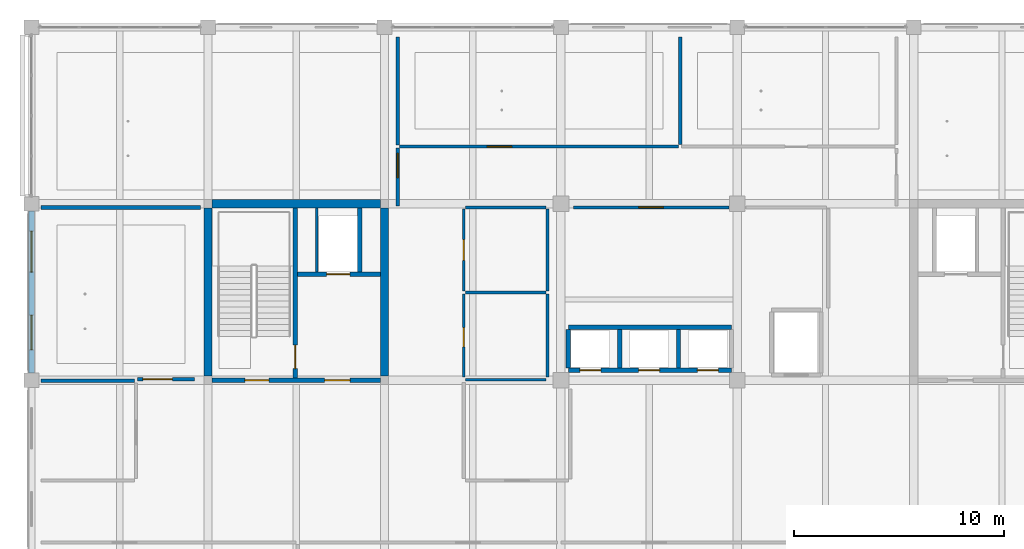
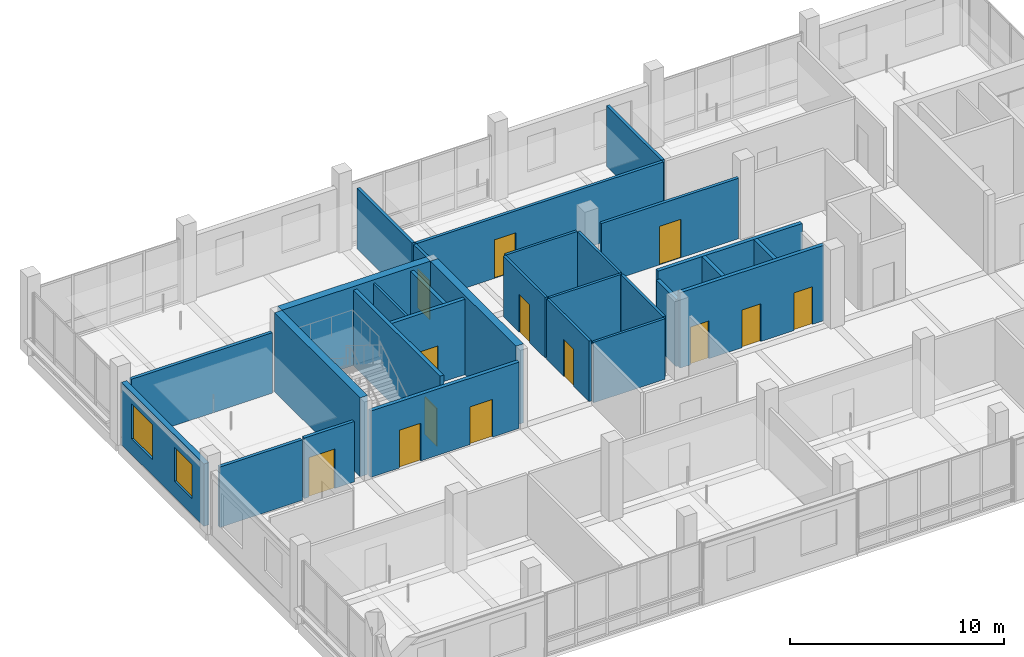
# One storey, part 12 of 32: 29 walls, 13 doors, 2 windows, 15 openings.
"""IFC4 building model written with IfcOpenShell, lengths in metres."""

from ifc_helpers import new_model, si_unit, direction, frame, frame_2d, origin, place, context, subcontext, project, spatial, rectangle, extrude, material, layer, layer_set, type_object, element, fill, save


model = new_model("IFC4")

# Units and contexts
model_context = context("Model", 3, precision=1e-05, world=origin(), true_north=direction((0.0, 1.0)))
body_context = subcontext(model_context, "Body", "Model", "MODEL_VIEW")
ifc_project = project(units=[si_unit("LENGTHUNIT", "METRE"), si_unit("AREAUNIT", "SQUARE_METRE"), si_unit("VOLUMEUNIT", "CUBIC_METRE"), si_unit("PLANEANGLEUNIT", "RADIAN"), si_unit("MASSUNIT", "GRAM", prefix="KILO")], contexts=[model_context])

# Site, building, storey
site_placement = place(None, origin())
site = spatial("IfcSite", under=ifc_project, at=site_placement, CompositionType="ELEMENT")
building_placement = place(site_placement, origin())
building = spatial("IfcBuilding", under=site, at=building_placement, Name="Telukmera Botanical Conservatory", CompositionType="ELEMENT")
storey_placement = place(building_placement, frame((0.0, 0.0, 42.0)))
storey = spatial("IfcBuildingStorey", under=building, at=storey_placement, Name="L09", CompositionType="ELEMENT", Elevation=42.0)

# Wall, openings, windows
ifc_material_1 = material(Name="Precast concrete C40/50", Category="concrete")
ifc_layer_1 = layer(ifc_material_1, 0.280029296875)
ifc_layer_set_1 = layer_set([ifc_layer_1], Name="Precast concrete C40/50")
wall_type_1 = type_object("IfcWallType", Name="Exterior Laboratory Modular Precast Wall 280", PredefinedType="ELEMENTEDWALL", material=ifc_layer_set_1)
wall_1_placement = place(storey_placement, frame((50.39990234375, 26.35205078125, 0.0), z_axis=(0.0, 0.0, 1.0), x_axis=(0.0, 1.0, 0.0)))
wall_1 = element("IfcWall", 1, at=wall_1_placement, inside=storey, type_object=wall_type_1, Name="Exterior Precast Wall EW06 V4:L09:W3", PredefinedType="ELEMENTEDWALL", context=body_context, shape_type="SweptSolid", body=[
    extrude(rectangle(XDim=7.696044921875, YDim=0.280029296875, at=frame_2d((3.84814453125, 0.0))), origin(), (0.0, 0.0, 1.0), 3.550048828125),
])
opening_1_placement = place(wall_1_placement, frame((1.09912109375, 0.0, 0.89990234375)))
opening_1 = element("IfcOpeningElement", 2, at=opening_1_placement, cuts=wall_1, Name="Opening W10", PredefinedType="OPENING", context=body_context, shape_type="SweptSolid", body=[
    extrude(rectangle(XDim=1.64990234375, YDim=1.949951171875, at=frame_2d((0.824951171875, 0.97509765625))), frame((0.0, 0.14990234375, 0.0), z_axis=(0.0, -1.0, 0.0), x_axis=(1.0, 0.0, 0.0)), (0.0, 0.0, 1.0), 0.300048828125),
])
opening_2_placement = place(wall_1_placement, frame((4.797119140625, 0.0, 0.89990234375)))
opening_2 = element("IfcOpeningElement", 3, at=opening_2_placement, cuts=wall_1, Name="Opening W13", PredefinedType="OPENING", context=body_context, shape_type="SweptSolid", body=[
    extrude(rectangle(XDim=1.949951171875, YDim=2.0, at=frame_2d((0.97509765625, 1.0))), frame((0.0, 0.14990234375, 0.0), z_axis=(0.0, -1.0, 0.0), x_axis=(1.0, 0.0, 0.0)), (0.0, 0.0, 1.0), 0.300048828125),
])
ifc_material_2 = material(Name="Thermally broken anodised aluminium frame with low-E double glazing", Category="aluminium")
window_type_1 = type_object("IfcWindowType", Name="Double Horizontal Phytochemistry Lab Window 1650x1950", PartitioningType="DOUBLE_PANEL_HORIZONTAL", PredefinedType="WINDOW", material=ifc_material_2)
window_1_placement = place(opening_1_placement, origin())
window_1 = element("IfcWindow", 4, at=window_1_placement, inside=storey, type_object=window_type_1, Name="Facade Window W10 V4:L09:W3 1", OverallHeight=1.949951171875, OverallWidth=1.64990234375, PartitioningType="DOUBLE_PANEL_HORIZONTAL", PredefinedType="WINDOW", context=body_context, shape_type="SweptSolid", body=[
    extrude(rectangle(XDim=1.64990234375, YDim=1.949951171875, at=frame_2d((0.824951171875, 0.97509765625))), frame((0.0, 0.030029296875, 0.0), z_axis=(0.0, -1.0, 0.0), x_axis=(1.0, 0.0, 0.0)), (0.0, 0.0, 1.0), 0.06005859375),
])
fill(opening_1, window_1)
window_type_2 = type_object("IfcWindowType", Name="Triple Vertical Tissue Culture Lab Window 1950x2000", PartitioningType="TRIPLE_PANEL_VERTICAL", PredefinedType="WINDOW", material=ifc_material_2)
window_2_placement = place(opening_2_placement, origin())
window_2 = element("IfcWindow", 5, at=window_2_placement, inside=storey, type_object=window_type_2, Name="Facade Window W13 V4:L09:W3 2", OverallHeight=2.0, OverallWidth=1.949951171875, PartitioningType="TRIPLE_PANEL_VERTICAL", PredefinedType="WINDOW", context=body_context, shape_type="SweptSolid", body=[
    extrude(rectangle(XDim=1.949951171875, YDim=2.0, at=frame_2d((0.97509765625, 1.0))), frame((0.0, 0.030029296875, 0.0), z_axis=(0.0, -1.0, 0.0), x_axis=(1.0, 0.0, 0.0)), (0.0, 0.0, 1.0), 0.06005859375),
])
fill(opening_2, window_2)

# Wall, openings, doors
ifc_material_3 = material(Name="Concrete C40/50", Category="concrete")
ifc_layer_2 = layer(ifc_material_3, 0.199951171875)
ifc_layer_set_2 = layer_set([ifc_layer_2], Name="Concrete C40/50")
wall_type_2 = type_object("IfcWallType", Name="WT-CORE-200", PredefinedType="SOLIDWALL", material=ifc_layer_set_2)
wall_2_placement = place(storey_placement, frame((59.0, 26.0, 0.0), z_axis=(0.0, 0.0, 1.0), x_axis=(1.0, 0.0, 0.0)))
wall_2 = element("IfcWall", 6, at=wall_2_placement, inside=storey, type_object=wall_type_2, Name="L09 Core C1 South Fire Wall", PredefinedType="SOLIDWALL", context=body_context, shape_type="SweptSolid", body=[
    extrude(rectangle(XDim=8.0, YDim=0.199951171875, at=frame_2d((4.0, 0.0))), origin(), (0.0, 0.0, 1.0), 3.780029296875),
])
opening_3_placement = place(wall_2_placement, frame((1.550048828125, 0.0, 0.0)))
opening_3 = element("IfcOpeningElement", 7, at=opening_3_placement, cuts=wall_2, Name="Opening FD60A", PredefinedType="OPENING", context=body_context, shape_type="SweptSolid", body=[
    extrude(rectangle(XDim=1.14990234375, YDim=2.14990234375, at=frame_2d((0.574951171875, 1.074951171875))), frame((0.0, 0.10986328125, 0.0), z_axis=(0.0, -1.0, 0.0), x_axis=(1.0, 0.0, 0.0)), (0.0, 0.0, 1.0), 0.219970703125),
])
opening_4_placement = place(wall_2_placement, frame((5.35009765625, 0.0, 0.0)))
opening_4 = element("IfcOpeningElement", 8, at=opening_4_placement, cuts=wall_2, Name="Opening FD60C", PredefinedType="OPENING", context=body_context, shape_type="SweptSolid", body=[
    extrude(rectangle(XDim=1.219970703125, YDim=2.14990234375, at=frame_2d((0.60986328125, 1.074951171875))), frame((0.0, 0.10986328125, 0.0), z_axis=(0.0, -1.0, 0.0), x_axis=(1.0, 0.0, 0.0)), (0.0, 0.0, 1.0), 0.219970703125),
])
ifc_material_4 = material(Name="Hardwood fire door", Category="wood")
door_type_1 = type_object("IfcDoorType", Name="DT-FD60-01", OperationType="NOTDEFINED", PredefinedType="DOOR", material=ifc_material_4)
door_1_placement = place(opening_3_placement, origin())
door_1 = element("IfcDoor", 9, at=door_1_placement, inside=storey, type_object=door_type_1, Name="L09 Stair ST1 Escape Door", OperationType="SINGLE_SWING_RIGHT", OverallHeight=2.14990234375, OverallWidth=1.14990234375, PredefinedType="DOOR", context=body_context, shape_type="SweptSolid", body=[
    extrude(rectangle(XDim=1.14990234375, YDim=2.14990234375, at=frame_2d((0.574951171875, 1.074951171875))), frame((0.0, 0.02490234375, 0.0), z_axis=(0.0, -1.0, 0.0), x_axis=(1.0, 0.0, 0.0)), (0.0, 0.0, 1.0), 0.050048828125),
])
fill(opening_3, door_1)
door_type_2 = type_object("IfcDoorType", Name="DT-FD60-03", OperationType="NOTDEFINED", PredefinedType="DOOR", material=ifc_material_4)
door_2_placement = place(opening_4_placement, origin())
door_2 = element("IfcDoor", 10, at=door_2_placement, inside=storey, type_object=door_type_2, Name="L09 Firefighting Lobby C1 Door", OperationType="SINGLE_SWING_LEFT", OverallHeight=2.14990234375, OverallWidth=1.219970703125, PredefinedType="DOOR", context=body_context, shape_type="SweptSolid", body=[
    extrude(rectangle(XDim=1.219970703125, YDim=2.14990234375, at=frame_2d((0.60986328125, 1.074951171875))), frame((0.0, 0.02490234375, 0.0), z_axis=(0.0, -1.0, 0.0), x_axis=(1.0, 0.0, 0.0)), (0.0, 0.0, 1.0), 0.050048828125),
])
fill(opening_4, door_2)

# Wall, opening, door
wall_3_placement = place(storey_placement, frame((62.949951171875, 26.10009765625, 0.0), z_axis=(0.0, 0.0, 1.0), x_axis=(0.0, 1.0, 0.0)))
wall_3 = element("IfcWall", 11, at=wall_3_placement, inside=storey, type_object=wall_type_2, Name="L09 Core C1 Stair-Lobby Wall", PredefinedType="SOLIDWALL", context=body_context, shape_type="SweptSolid", body=[
    extrude(rectangle(XDim=8.099853515625, YDim=0.199951171875, at=frame_2d((4.0498046875, 0.0))), origin(), (0.0, 0.0, 1.0), 4.300048828125),
])
opening_5_placement = place(wall_3_placement, frame((0.449951171875, 0.0, 0.0)))
opening_5 = element("IfcOpeningElement", 12, at=opening_5_placement, cuts=wall_3, Name="Opening FD60B", PredefinedType="OPENING", context=body_context, shape_type="SweptSolid", body=[
    extrude(rectangle(XDim=1.1201171875, YDim=2.14990234375, at=frame_2d((0.56005859375, 1.074951171875))), frame((0.0, 0.10986328125, 0.0), z_axis=(0.0, -1.0, 0.0), x_axis=(1.0, 0.0, 0.0)), (0.0, 0.0, 1.0), 0.219970703125),
])
door_type_3 = type_object("IfcDoorType", Name="DT-FD60-02", OperationType="NOTDEFINED", PredefinedType="DOOR", material=ifc_material_4)
door_3_placement = place(opening_5_placement, origin())
door_3 = element("IfcDoor", 13, at=door_3_placement, inside=storey, type_object=door_type_3, Name="L09 Firefighting Lobby C1 to ST1 Door", OperationType="SINGLE_SWING_RIGHT", OverallHeight=2.14990234375, OverallWidth=1.1201171875, PredefinedType="DOOR", context=body_context, shape_type="SweptSolid", body=[
    extrude(rectangle(XDim=1.1201171875, YDim=2.14990234375, at=frame_2d((0.56005859375, 1.074951171875))), frame((0.0, 0.02490234375, 0.0), z_axis=(0.0, -1.0, 0.0), x_axis=(1.0, 0.0, 0.0)), (0.0, 0.0, 1.0), 0.050048828125),
])
fill(opening_5, door_3)

wall_4_placement = place(storey_placement, frame((63.050048828125, 31.050048828125, 0.0), z_axis=(0.0, 0.0, 1.0), x_axis=(1.0, 0.0, 0.0)))
wall_4 = element("IfcWall", 14, at=wall_4_placement, inside=storey, type_object=wall_type_2, Name="L09 Fire Lift FL1 Shaft Front Wall", PredefinedType="SOLIDWALL", context=body_context, shape_type="SweptSolid", body=[
    extrude(rectangle(XDim=3.949951171875, YDim=0.199951171875, at=frame_2d((1.97509765625, 0.0))), origin(), (0.0, 0.0, 1.0), 4.300048828125),
])
opening_6_placement = place(wall_4_placement, frame((1.39990234375, 0.0, 0.0)))
opening_6 = element("IfcOpeningElement", 15, at=opening_6_placement, cuts=wall_4, Name="Opening LD01", PredefinedType="OPENING", context=body_context, shape_type="SweptSolid", body=[
    extrude(rectangle(XDim=1.10009765625, YDim=2.14990234375, at=frame_2d((0.550048828125, 1.074951171875))), frame((0.0, 0.10986328125, 0.0), z_axis=(0.0, -1.0, 0.0), x_axis=(1.0, 0.0, 0.0)), (0.0, 0.0, 1.0), 0.219970703125),
])
ifc_material_5 = material(Name="Stainless steel 316", Category="steel")
door_type_4 = type_object("IfcDoorType", Name="DT-LD01", OperationType="SLIDING_TO_LEFT", PredefinedType="DOOR", material=ifc_material_5)
door_4_placement = place(opening_6_placement, frame((1.10009765625, 0.0, 0.0), z_axis=(0.0, 0.0, 1.0), x_axis=(-1.0, 0.0, 0.0)))
door_4 = element("IfcDoor", 16, at=door_4_placement, inside=storey, type_object=door_type_4, Name="L09 Lift Landing Door FL1", OperationType="SLIDING_TO_LEFT", OverallHeight=2.14990234375, OverallWidth=1.10009765625, PredefinedType="DOOR", context=body_context, shape_type="SweptSolid", body=[
    extrude(rectangle(XDim=1.10009765625, YDim=2.14990234375, at=frame_2d((0.550048828125, 1.074951171875))), frame((0.0, 0.02490234375, 0.0), z_axis=(0.0, -1.0, 0.0), x_axis=(1.0, 0.0, 0.0)), (0.0, 0.0, 1.0), 0.050048828125),
])
fill(opening_6, door_4)

# Wall
wall_5_placement = place(storey_placement, frame((66.02001953125, 31.14990234375, 0.0), z_axis=(0.0, 0.0, 1.0), x_axis=(0.0, 1.0, 0.0)))
element("IfcWall", 17, at=wall_5_placement, inside=storey, type_object=wall_type_2, Name="L09 Fire Lift FL1 Shaft East Wall", PredefinedType="SOLIDWALL", context=body_context, shape_type="SweptSolid", body=[
    extrude(rectangle(XDim=3.050048828125, YDim=0.199951171875, at=frame_2d((1.52490234375, 0.0))), origin(), (0.0, 0.0, 1.0), 4.300048828125),
])

# Wall, openings, doors
wall_6_placement = place(storey_placement, frame((75.949951171875, 26.47998046875, 0.0), z_axis=(0.0, 0.0, 1.0), x_axis=(1.0, 0.0, 0.0)))
wall_6 = element("IfcWall", 18, at=wall_6_placement, inside=storey, type_object=wall_type_2, Name="L09 Passenger Lift Bank Front Wall", PredefinedType="SOLIDWALL", context=body_context, shape_type="SweptSolid", body=[
    extrude(rectangle(XDim=7.77001953125, YDim=0.199951171875, at=frame_2d((3.885009765625, 0.0))), origin(), (0.0, 0.0, 1.0), 4.300048828125),
])
opening_7_placement = place(wall_6_placement, frame((0.550048828125, 0.0, 0.0)))
opening_7 = element("IfcOpeningElement", 19, at=opening_7_placement, cuts=wall_6, Name="Opening LD03", PredefinedType="OPENING", context=body_context, shape_type="SweptSolid", body=[
    extrude(rectangle(XDim=1.0, YDim=2.14990234375, at=frame_2d((0.5, 1.074951171875))), frame((0.0, 0.10986328125, 0.0), z_axis=(0.0, -1.0, 0.0), x_axis=(1.0, 0.0, 0.0)), (0.0, 0.0, 1.0), 0.219970703125),
])
opening_8_placement = place(wall_6_placement, frame((3.35009765625, 0.0, 0.0)))
opening_8 = element("IfcOpeningElement", 20, at=opening_8_placement, cuts=wall_6, Name="Opening LD03", PredefinedType="OPENING", context=body_context, shape_type="SweptSolid", body=[
    extrude(rectangle(XDim=1.0, YDim=2.14990234375, at=frame_2d((0.5, 1.074951171875))), frame((0.0, 0.10986328125, 0.0), z_axis=(0.0, -1.0, 0.0), x_axis=(1.0, 0.0, 0.0)), (0.0, 0.0, 1.0), 0.219970703125),
])
opening_9_placement = place(wall_6_placement, frame((6.14990234375, 0.0, 0.0)))
opening_9 = element("IfcOpeningElement", 21, at=opening_9_placement, cuts=wall_6, Name="Opening LD03", PredefinedType="OPENING", context=body_context, shape_type="SweptSolid", body=[
    extrude(rectangle(XDim=1.0, YDim=2.14990234375, at=frame_2d((0.5, 1.074951171875))), frame((0.0, 0.10986328125, 0.0), z_axis=(0.0, -1.0, 0.0), x_axis=(1.0, 0.0, 0.0)), (0.0, 0.0, 1.0), 0.219970703125),
])
door_type_5 = type_object("IfcDoorType", Name="DT-LD03", OperationType="SLIDING_TO_LEFT", PredefinedType="DOOR", material=ifc_material_5)
door_5_placement = place(opening_7_placement, frame((1.0, 0.0, 0.0), z_axis=(0.0, 0.0, 1.0), x_axis=(-1.0, 0.0, 0.0)))
door_5 = element("IfcDoor", 22, at=door_5_placement, inside=storey, type_object=door_type_5, Name="L09 Lift Landing Door PL1", OperationType="SLIDING_TO_LEFT", OverallHeight=2.14990234375, OverallWidth=1.0, PredefinedType="DOOR", context=body_context, shape_type="SweptSolid", body=[
    extrude(rectangle(XDim=1.0, YDim=2.14990234375, at=frame_2d((0.5, 1.074951171875))), frame((0.0, 0.02490234375, 0.0), z_axis=(0.0, -1.0, 0.0), x_axis=(1.0, 0.0, 0.0)), (0.0, 0.0, 1.0), 0.050048828125),
])
fill(opening_7, door_5)
door_6_placement = place(opening_8_placement, frame((1.0, 0.0, 0.0), z_axis=(0.0, 0.0, 1.0), x_axis=(-1.0, 0.0, 0.0)))
door_6 = element("IfcDoor", 23, at=door_6_placement, inside=storey, type_object=door_type_5, Name="L09 Lift Landing Door PL2", OperationType="SLIDING_TO_LEFT", OverallHeight=2.14990234375, OverallWidth=1.0, PredefinedType="DOOR", context=body_context, shape_type="SweptSolid", body=[
    extrude(rectangle(XDim=1.0, YDim=2.14990234375, at=frame_2d((0.5, 1.074951171875))), frame((0.0, 0.02490234375, 0.0), z_axis=(0.0, -1.0, 0.0), x_axis=(1.0, 0.0, 0.0)), (0.0, 0.0, 1.0), 0.050048828125),
])
fill(opening_8, door_6)
door_7_placement = place(opening_9_placement, frame((1.0, 0.0, 0.0), z_axis=(0.0, 0.0, 1.0), x_axis=(-1.0, 0.0, 0.0)))
door_7 = element("IfcDoor", 24, at=door_7_placement, inside=storey, type_object=door_type_5, Name="L09 Lift Landing Door PL3", OperationType="SLIDING_TO_LEFT", OverallHeight=2.14990234375, OverallWidth=1.0, PredefinedType="DOOR", context=body_context, shape_type="SweptSolid", body=[
    extrude(rectangle(XDim=1.0, YDim=2.14990234375, at=frame_2d((0.5, 1.074951171875))), frame((0.0, 0.02490234375, 0.0), z_axis=(0.0, -1.0, 0.0), x_axis=(1.0, 0.0, 0.0)), (0.0, 0.0, 1.0), 0.050048828125),
])
fill(opening_9, door_7)

# Walls
wall_7_placement = place(storey_placement, frame((75.949951171875, 28.52001953125, 0.0), z_axis=(0.0, 0.0, 1.0), x_axis=(1.0, 0.0, 0.0)))
element("IfcWall", 25, at=wall_7_placement, inside=storey, type_object=wall_type_2, Name="L09 Passenger Lift Bank Rear Wall", PredefinedType="SOLIDWALL", context=body_context, shape_type="SweptSolid", body=[
    extrude(rectangle(XDim=7.77001953125, YDim=0.199951171875, at=frame_2d((3.885009765625, 0.0))), origin(), (0.0, 0.0, 1.0), 4.300048828125),
])
wall_8_placement = place(storey_placement, frame((75.949951171875, 26.580078125, 0.0), z_axis=(0.0, 0.0, 1.0), x_axis=(0.0, 1.0, 0.0)))
element("IfcWall", 26, at=wall_8_placement, inside=storey, type_object=wall_type_2, Name="L09 Passenger Lift Shaft Wall 1", PredefinedType="SOLIDWALL", context=body_context, shape_type="SweptSolid", body=[
    extrude(rectangle(XDim=1.83984375, YDim=0.199951171875, at=frame_2d((0.919921875, 0.0))), origin(), (0.0, 0.0, 1.0), 3.830078125),
])
for number, where, z_axis, x_axis, name in (
    (27, (78.39990234375, 26.580078125, 0.0), (0.0, 0.0, 1.0), (0.0, 1.0, 0.0), "L09 Passenger Lift Shaft Wall 2"),
    (28, (81.199951171875, 26.580078125, 0.0), (0.0, 0.0, 1.0), (0.0, 1.0, 0.0), "L09 Passenger Lift Shaft Wall 3"),
):
    element("IfcWall", number, at=place(storey_placement, frame(where, z_axis=z_axis, x_axis=x_axis)), inside=storey, type_object=wall_type_2, Name=name, PredefinedType="SOLIDWALL", context=body_context, shape_type="SweptSolid", body=[
        extrude(rectangle(XDim=1.83984375, YDim=0.199951171875, at=frame_2d((0.919921875, 0.0))), origin(), (0.0, 0.0, 1.0), 4.300048828125),
    ])

# Wall, opening, door
ifc_material_6 = material(Name="Gypsum acoustic stud partition")
ifc_layer_3 = layer(ifc_material_6, 0.159912109375)
ifc_layer_set_3 = layer_set([ifc_layer_3], Name="Gypsum acoustic stud partition")
wall_type_3 = type_object("IfcWallType", Name="WT-LAB-160", PredefinedType="PARTITIONING", material=ifc_layer_set_3)
wall_9_placement = place(storey_placement, frame((76.199951171875, 34.22509765625, 0.0), z_axis=(0.0, 0.0, 1.0), x_axis=(1.0, 0.0, 0.0)))
wall_9 = element("IfcWall", 29, at=wall_9_placement, inside=storey, type_object=wall_type_3, Name="L09 Interior Partition 07", PredefinedType="PARTITIONING", context=body_context, shape_type="SweptSolid", body=[
    extrude(rectangle(XDim=7.39501953125, YDim=0.159912109375, at=frame_2d((3.697509765625, 0.0))), origin(), (0.0, 0.0, 1.0), 3.449951171875),
])
opening_10_placement = place(wall_9_placement, frame((3.117431640625, 0.0, 0.0)))
opening_10 = element("IfcOpeningElement", 30, at=opening_10_placement, cuts=wall_9, Name="Opening ID09", PredefinedType="OPENING", context=body_context, shape_type="SweptSolid", body=[
    extrude(rectangle(XDim=1.159912109375, YDim=2.199951171875, at=frame_2d((0.580078125, 1.10009765625))), frame((0.0, 0.08984375, 0.0), z_axis=(0.0, -1.0, 0.0), x_axis=(1.0, 0.0, 0.0)), (0.0, 0.0, 1.0), 0.179931640625),
])
ifc_material_7 = material(Name="Phenolic faced laboratory fire door")
door_type_6 = type_object("IfcDoorType", Name="DT-LAB-116", OperationType="NOTDEFINED", PredefinedType="DOOR", material=ifc_material_7)
door_8_placement = place(opening_10_placement, frame((1.159912109375, 0.0, 0.0), z_axis=(0.0, 0.0, 1.0), x_axis=(-1.0, 0.0, 0.0)))
door_8 = element("IfcDoor", 31, at=door_8_placement, inside=storey, type_object=door_type_6, Name="L09 Centrifuge and Reagent Preparation Room Door", OperationType="SINGLE_SWING_LEFT", OverallHeight=2.199951171875, OverallWidth=1.159912109375, PredefinedType="DOOR", context=body_context, shape_type="SweptSolid", body=[
    extrude(rectangle(XDim=1.159912109375, YDim=2.199951171875, at=frame_2d((0.580078125, 1.10009765625))), frame((0.0, 0.02490234375, 0.0), z_axis=(0.0, -1.0, 0.0), x_axis=(1.0, 0.0, 0.0)), (0.0, 0.0, 1.0), 0.050048828125),
])
fill(opening_10, door_8)

wall_10_placement = place(storey_placement, frame((67.824951171875, 34.300048828125, 0.0), z_axis=(0.0, 0.0, 1.0), x_axis=(0.0, 1.0, 0.0)))
wall_10 = element("IfcWall", 32, at=wall_10_placement, inside=storey, type_object=wall_type_3, Name="L09 Interior Partition 24", PredefinedType="PARTITIONING", context=body_context, shape_type="SweptSolid", body=[
    extrude(rectangle(XDim=2.75, YDim=0.159912109375, at=frame_2d((1.375, 0.0))), origin(), (0.0, 0.0, 1.0), 3.449951171875),
])
opening_11_placement = place(wall_10_placement, frame((1.340087890625, 0.0, 0.0)))
opening_11 = element("IfcOpeningElement", 33, at=opening_11_placement, cuts=wall_10, Name="Opening ID09", PredefinedType="OPENING", context=body_context, shape_type="SweptSolid", body=[
    extrude(rectangle(XDim=1.159912109375, YDim=2.199951171875, at=frame_2d((0.580078125, 1.10009765625))), frame((0.0, 0.08984375, 0.0), z_axis=(0.0, -1.0, 0.0), x_axis=(1.0, 0.0, 0.0)), (0.0, 0.0, 1.0), 0.179931640625),
])
door_9_placement = place(opening_11_placement, origin())
door_9 = element("IfcDoor", 34, at=door_9_placement, inside=storey, type_object=door_type_6, Name="L09 Soil Microbiome Laboratory Door", OperationType="SINGLE_SWING_LEFT", OverallHeight=2.199951171875, OverallWidth=1.159912109375, PredefinedType="DOOR", context=body_context, shape_type="SweptSolid", body=[
    extrude(rectangle(XDim=1.159912109375, YDim=2.199951171875, at=frame_2d((0.580078125, 1.10009765625))), frame((0.0, 0.02490234375, 0.0), z_axis=(0.0, -1.0, 0.0), x_axis=(1.0, 0.0, 0.0)), (0.0, 0.0, 1.0), 0.050048828125),
])
fill(opening_11, door_9)

wall_11_placement = place(storey_placement, frame((67.9150390625, 37.125, 0.0), z_axis=(0.0, 0.0, 1.0), x_axis=(1.0, 0.0, 0.0)))
wall_11 = element("IfcWall", 35, at=wall_11_placement, inside=storey, type_object=wall_type_3, Name="L09 Interior Partition 25", PredefinedType="PARTITIONING", context=body_context, shape_type="SweptSolid", body=[
    extrude(rectangle(XDim=13.284912109375, YDim=0.159912109375, at=frame_2d((6.642578125, 0.0))), origin(), (0.0, 0.0, 1.0), 3.449951171875),
])
opening_12_placement = place(wall_11_placement, frame((4.17529296875, 0.0, 0.0)))
opening_12 = element("IfcOpeningElement", 36, at=opening_12_placement, cuts=wall_11, Name="Opening ID09", PredefinedType="OPENING", context=body_context, shape_type="SweptSolid", body=[
    extrude(rectangle(XDim=1.159912109375, YDim=2.199951171875, at=frame_2d((0.580078125, 1.10009765625))), frame((0.0, 0.08984375, 0.0), z_axis=(0.0, -1.0, 0.0), x_axis=(1.0, 0.0, 0.0)), (0.0, 0.0, 1.0), 0.179931640625),
])
door_10_placement = place(opening_12_placement, origin())
door_10 = element("IfcDoor", 37, at=door_10_placement, inside=storey, type_object=door_type_6, Name="L09 Canopy Ecophysiology Laboratory Door", OperationType="SINGLE_SWING_RIGHT", OverallHeight=2.199951171875, OverallWidth=1.159912109375, PredefinedType="DOOR", context=body_context, shape_type="SweptSolid", body=[
    extrude(rectangle(XDim=1.159912109375, YDim=2.199951171875, at=frame_2d((0.580078125, 1.10009765625))), frame((0.0, 0.02490234375, 0.0), z_axis=(0.0, -1.0, 0.0), x_axis=(1.0, 0.0, 0.0)), (0.0, 0.0, 1.0), 0.050048828125),
])
fill(opening_12, door_10)

# Walls
wall_12_placement = place(storey_placement, frame((67.824951171875, 37.199951171875, 0.0), z_axis=(0.0, 0.0, 1.0), x_axis=(0.0, 1.0, 0.0)))
element("IfcWall", 38, at=wall_12_placement, inside=storey, type_object=wall_type_3, Name="L09 Interior Partition 28", PredefinedType="PARTITIONING", context=body_context, shape_type="SweptSolid", body=[
    extrude(rectangle(XDim=5.150146484375, YDim=0.159912109375, at=frame_2d((2.5751953125, 0.0))), origin(), (0.0, 0.0, 1.0), 3.449951171875),
])
wall_13_placement = place(storey_placement, frame((81.27490234375, 37.215087890625, 0.0), z_axis=(0.0, 0.0, 1.0), x_axis=(0.0, 1.0, 0.0)))
element("IfcWall", 39, at=wall_13_placement, inside=storey, type_object=wall_type_3, Name="L09 Interior Partition 29", PredefinedType="PARTITIONING", context=body_context, shape_type="SweptSolid", body=[
    extrude(rectangle(XDim=5.135009765625, YDim=0.159912109375, at=frame_2d((2.5673828125, 0.0))), origin(), (0.0, 0.0, 1.0), 3.449951171875),
])

# Wall, opening, door
ifc_material_8 = material(Name="Blockwork masonry", Category="masonry")
ifc_layer_4 = layer(ifc_material_8, 0.169921875)
ifc_layer_set_4 = layer_set([ifc_layer_4], Name="Blockwork masonry")
wall_type_4 = type_object("IfcWallType", Name="WT-PLANT-170", PredefinedType="PARTITIONING", material=ifc_layer_set_4)
wall_14_placement = place(storey_placement, frame((55.449951171875, 26.050048828125, 0.0), z_axis=(0.0, 0.0, 1.0), x_axis=(1.0, 0.0, 0.0)))
wall_14 = element("IfcWall", 40, at=wall_14_placement, inside=storey, type_object=wall_type_4, Name="L09 Interior Partition 09", PredefinedType="PARTITIONING", context=body_context, shape_type="SweptSolid", body=[
    extrude(rectangle(XDim=2.699951171875, YDim=0.169921875, at=frame_2d((1.35009765625, 0.0))), origin(), (0.0, 0.0, 1.0), 3.449951171875),
])
opening_13_placement = place(wall_14_placement, frame((0.25, 0.0, 0.0)))
opening_13 = element("IfcOpeningElement", 41, at=opening_13_placement, cuts=wall_14, Name="Opening ID05", PredefinedType="OPENING", context=body_context, shape_type="SweptSolid", body=[
    extrude(rectangle(XDim=1.39990234375, YDim=2.25, at=frame_2d((0.699951171875, 1.125))), frame((0.0, 0.094970703125, 0.0), z_axis=(0.0, -1.0, 0.0), x_axis=(1.0, 0.0, 0.0)), (0.0, 0.0, 1.0), 0.18994140625),
])
ifc_material_9 = material(Name="Louvred steel plant double door", Category="steel")
door_type_7 = type_object("IfcDoorType", Name="DT-PLANT-140", OperationType="NOTDEFINED", PredefinedType="DOOR", material=ifc_material_9)
door_11_placement = place(opening_13_placement, origin())
door_11 = element("IfcDoor", 42, at=door_11_placement, inside=storey, type_object=door_type_7, Name="L09 Plant Pathology Laboratory Door", OperationType="SINGLE_SWING_RIGHT", OverallHeight=2.25, OverallWidth=1.39990234375, PredefinedType="DOOR", context=body_context, shape_type="SweptSolid", body=[
    extrude(rectangle(XDim=1.39990234375, YDim=2.25, at=frame_2d((0.699951171875, 1.125))), frame((0.0, 0.02490234375, 0.0), z_axis=(0.0, -1.0, 0.0), x_axis=(1.0, 0.0, 0.0)), (0.0, 0.0, 1.0), 0.050048828125),
])
fill(opening_13, door_11)

# Walls
wall_15_placement = place(storey_placement, frame((50.85009765625, 25.97509765625, 0.0), z_axis=(0.0, 0.0, 1.0), x_axis=(1.0, 0.0, 0.0)))
element("IfcWall", 43, at=wall_15_placement, inside=storey, type_object=wall_type_4, Name="L09 Interior Partition 10", PredefinedType="PARTITIONING", context=body_context, shape_type="SweptSolid", body=[
    extrude(rectangle(XDim=4.449951171875, YDim=0.169921875, at=frame_2d((2.22509765625, 0.0))), origin(), (0.0, 0.0, 1.0), 3.449951171875),
])
wall_16_placement = place(storey_placement, frame((50.85009765625, 34.22509765625, 0.0), z_axis=(0.0, 0.0, 1.0), x_axis=(1.0, 0.0, 0.0)))
element("IfcWall", 44, at=wall_16_placement, inside=storey, type_object=wall_type_4, Name="L09 Interior Partition 11", PredefinedType="PARTITIONING", context=body_context, shape_type="SweptSolid", body=[
    extrude(rectangle(XDim=7.599853515625, YDim=0.169921875, at=frame_2d((3.7998046875, 0.0))), origin(), (0.0, 0.0, 1.0), 3.449951171875),
])
ifc_material_10 = material(Name="Gypsum shaftwall liner")
ifc_layer_5 = layer(ifc_material_10, 0.110107421875)
ifc_layer_set_5 = layer_set([ifc_layer_5], Name="Gypsum shaftwall liner")
wall_type_5 = type_object("IfcWallType", Name="WT-RISER-110", PredefinedType="PARTITIONING", material=ifc_layer_set_5)
wall_17_placement = place(storey_placement, frame((63.97998046875, 31.14990234375, 0.0), z_axis=(0.0, 0.0, 1.0), x_axis=(0.0, 1.0, 0.0)))
element("IfcWall", 45, at=wall_17_placement, inside=storey, type_object=wall_type_5, Name="L09 Wet Riser C1 Shaft Wall", PredefinedType="PARTITIONING", context=body_context, shape_type="SweptSolid", body=[
    extrude(rectangle(XDim=3.050048828125, YDim=0.110107421875, at=frame_2d((1.52490234375, 0.0))), origin(), (0.0, 0.0, 1.0), 4.300048828125),
])

# Wall, opening, door
ifc_material_11 = material(Name="Moisture-resistant blockwork", Category="masonry")
ifc_layer_6 = layer(ifc_material_11, 0.135009765625)
ifc_layer_set_6 = layer_set([ifc_layer_6], Name="Moisture-resistant blockwork")
wall_type_6 = type_object("IfcWallType", Name="WT-WC-135", PredefinedType="PARTITIONING", material=ifc_layer_set_6)
wall_18_placement = place(storey_placement, frame((70.97509765625, 26.14990234375, 0.0), z_axis=(0.0, 0.0, 1.0), x_axis=(0.0, 1.0, 0.0)))
wall_18 = element("IfcWall", 46, at=wall_18_placement, inside=storey, type_object=wall_type_6, Name="L09 Interior Partition 01", PredefinedType="PARTITIONING", context=body_context, shape_type="SweptSolid", body=[
    extrude(rectangle(XDim=3.9501953125, YDim=0.135009765625, at=frame_2d((1.97509765625, 0.0))), origin(), (0.0, 0.0, 1.0), 3.449951171875),
])
opening_14_placement = place(wall_18_placement, frame((1.440673828125, 0.0, 0.0)))
opening_14 = element("IfcOpeningElement", 47, at=opening_14_placement, cuts=wall_18, Name="Opening ID17", PredefinedType="OPENING", context=body_context, shape_type="SweptSolid", body=[
    extrude(rectangle(XDim=0.919921875, YDim=2.1201171875, at=frame_2d((0.4599609375, 1.06005859375))), frame((0.0, 0.077392578125, 0.0), z_axis=(0.0, -1.0, 0.0), x_axis=(1.0, 0.0, 0.0)), (0.0, 0.0, 1.0), 0.155029296875),
])
ifc_material_12 = material(Name="Moisture-resistant laminate WC door")
door_type_8 = type_object("IfcDoorType", Name="DT-WC-092", OperationType="NOTDEFINED", PredefinedType="DOOR", material=ifc_material_12)
door_12_placement = place(opening_14_placement, origin())
door_12 = element("IfcDoor", 48, at=door_12_placement, inside=storey, type_object=door_type_8, Name="L09 Public WC Door", OperationType="SINGLE_SWING_LEFT", OverallHeight=2.1201171875, OverallWidth=0.919921875, PredefinedType="DOOR", context=body_context, shape_type="SweptSolid", body=[
    extrude(rectangle(XDim=0.919921875, YDim=2.1201171875, at=frame_2d((0.4599609375, 1.06005859375))), frame((0.0, 0.02490234375, 0.0), z_axis=(0.0, -1.0, 0.0), x_axis=(1.0, 0.0, 0.0)), (0.0, 0.0, 1.0), 0.050048828125),
])
fill(opening_14, door_12)

wall_19_placement = place(storey_placement, frame((70.97509765625, 30.25, 0.0), z_axis=(0.0, 0.0, 1.0), x_axis=(0.0, 1.0, 0.0)))
wall_19 = element("IfcWall", 49, at=wall_19_placement, inside=storey, type_object=wall_type_6, Name="L09 Interior Partition 02", PredefinedType="PARTITIONING", context=body_context, shape_type="SweptSolid", body=[
    extrude(rectangle(XDim=3.89990234375, YDim=0.135009765625, at=frame_2d((1.949951171875, 0.0))), origin(), (0.0, 0.0, 1.0), 3.449951171875),
])
opening_15_placement = place(wall_19_placement, frame((1.4599609375, 0.0, 0.0)))
opening_15 = element("IfcOpeningElement", 50, at=opening_15_placement, cuts=wall_19, Name="Opening ID15", PredefinedType="OPENING", context=body_context, shape_type="SweptSolid", body=[
    extrude(rectangle(XDim=0.97998046875, YDim=2.14990234375, at=frame_2d((0.489990234375, 1.074951171875))), frame((0.0, 0.077392578125, 0.0), z_axis=(0.0, -1.0, 0.0), x_axis=(1.0, 0.0, 0.0)), (0.0, 0.0, 1.0), 0.155029296875),
])
ifc_material_13 = material(Name="Accessible sanitary laminate door")
door_type_9 = type_object("IfcDoorType", Name="DT-OKU-098", OperationType="NOTDEFINED", PredefinedType="DOOR", material=ifc_material_13)
door_13_placement = place(opening_15_placement, origin())
door_13 = element("IfcDoor", 51, at=door_13_placement, inside=storey, type_object=door_type_9, Name="L09 Accessible WC Door", OperationType="SINGLE_SWING_RIGHT", OverallHeight=2.14990234375, OverallWidth=0.97998046875, PredefinedType="DOOR", context=body_context, shape_type="SweptSolid", body=[
    extrude(rectangle(XDim=0.97998046875, YDim=2.14990234375, at=frame_2d((0.489990234375, 1.074951171875))), frame((0.0, 0.02490234375, 0.0), z_axis=(0.0, -1.0, 0.0), x_axis=(1.0, 0.0, 0.0)), (0.0, 0.0, 1.0), 0.050048828125),
])
fill(opening_15, door_13)

# Walls
for number, where, z_axis, x_axis, name in (
    (52, (71.050048828125, 30.175048828125, 0.0), (0.0, 0.0, 1.0), (1.0, 0.0, 0.0), "L09 Interior Partition 03"),
    (53, (71.050048828125, 26.02490234375, 0.0), (0.0, 0.0, 1.0), (1.0, 0.0, 0.0), "L09 Interior Partition 04"),
    (54, (71.050048828125, 34.22509765625, 0.0), (0.0, 0.0, 1.0), (1.0, 0.0, 0.0), "L09 Interior Partition 05"),
):
    element("IfcWall", number, at=place(storey_placement, frame(where, z_axis=z_axis, x_axis=x_axis)), inside=storey, type_object=wall_type_6, Name=name, PredefinedType="PARTITIONING", context=body_context, shape_type="SweptSolid", body=[
        extrude(rectangle(XDim=3.849853515625, YDim=0.135009765625, at=frame_2d((1.9248046875, 0.0))), origin(), (0.0, 0.0, 1.0), 3.449951171875),
    ])
wall_20_placement = place(storey_placement, frame((74.967529296875, 26.14990234375, 0.0), z_axis=(0.0, 0.0, 1.0), x_axis=(0.0, 1.0, 0.0)))
element("IfcWall", 55, at=wall_20_placement, inside=storey, type_object=wall_type_6, Name="L09 WC Enclosure Partition 01", PredefinedType="PARTITIONING", context=body_context, shape_type="SweptSolid", body=[
    extrude(rectangle(XDim=3.947509765625, YDim=0.135009765625, at=frame_2d((1.9736328125, 0.0))), origin(), (0.0, 0.0, 1.0), 3.449951171875),
])
wall_21_placement = place(storey_placement, frame((74.967529296875, 30.25244140625, 0.0), z_axis=(0.0, 0.0, 1.0), x_axis=(0.0, 1.0, 0.0)))
element("IfcWall", 56, at=wall_21_placement, inside=storey, type_object=wall_type_6, Name="L09 WC Enclosure Partition 02", PredefinedType="PARTITIONING", context=body_context, shape_type="SweptSolid", body=[
    extrude(rectangle(XDim=3.89501953125, YDim=0.135009765625, at=frame_2d((1.947509765625, 0.0))), origin(), (0.0, 0.0, 1.0), 3.449951171875),
])
ifc_material_14 = material(Name="Concrete C50/60", Category="concrete")
ifc_layer_7 = layer(ifc_material_14, 0.39990234375)
ifc_layer_set_7 = layer_set([ifc_layer_7], Name="Concrete C50/60")
wall_type_7 = type_object("IfcWallType", Name="Wall_CW1", PredefinedType="SHEAR", material=ifc_layer_set_7)
for number, where, z_axis, x_axis, name in (
    (57, (58.800048828125, 26.199951171875, 0.0), (0.0, 0.0, 1.0), (0.0, 1.0, 0.0), "Core C1 Shear Wall West L09"),
    (58, (67.199951171875, 26.199951171875, 0.0), (0.0, 0.0, 1.0), (0.0, 1.0, 0.0), "Core C1 Shear Wall East L09"),
    (59, (59.0, 34.39990234375, 0.0), (0.0, 0.0, 1.0), (1.0, 0.0, 0.0), "Core C1 Shear Wall North L09"),
):
    element("IfcWall", number, at=place(storey_placement, frame(where, z_axis=z_axis, x_axis=x_axis)), inside=storey, type_object=wall_type_7, Name=name, PredefinedType="SHEAR", context=body_context, shape_type="SweptSolid", body=[
        extrude(rectangle(XDim=8.0, YDim=0.39990234375, at=frame_2d((4.0, 0.0))), origin(), (0.0, 0.0, 1.0), 4.5),
    ])

save(model, "model.ifc")
